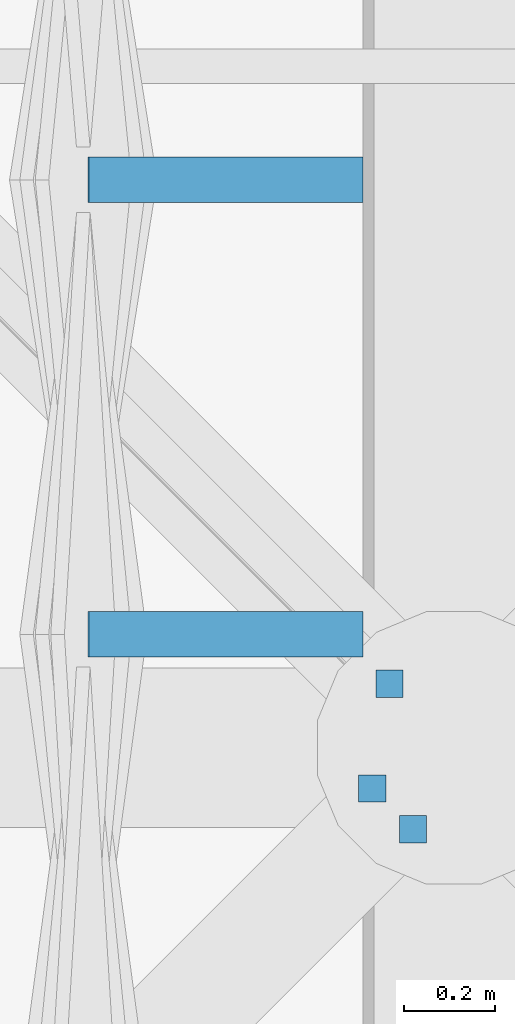
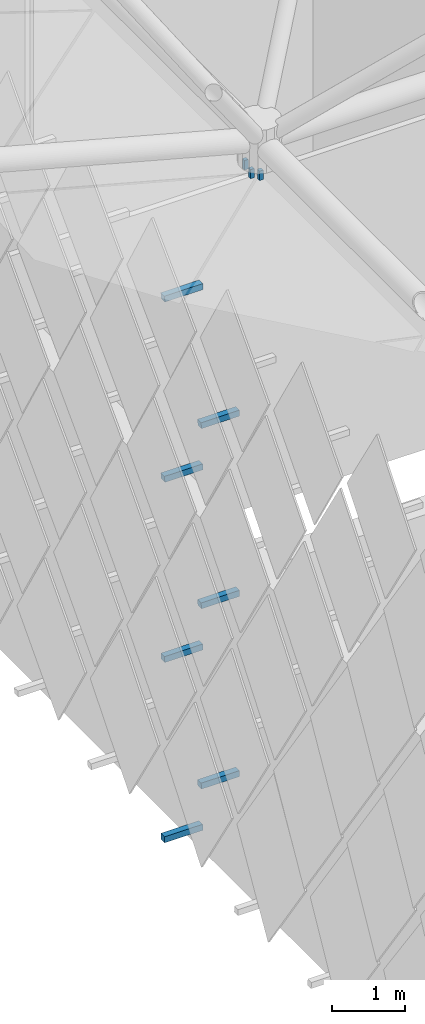
# One storey, part 363 of 437: 10 discrete accessories.
"""IFC4 building model written with IfcOpenShell, lengths in metres."""

from ifc_helpers import new_model, si_unit, direction, frame, origin, place, context, subcontext, project, spatial, polyline, outline, extrude, material, type_object, element, save


model = new_model("IFC4")

# Units and contexts
model_context = context("Model", 3, precision=1e-05, world=origin(), true_north=direction((0.0, 1.0)))
body_context = subcontext(model_context, "Body", "Model", "MODEL_VIEW")
ifc_project = project(units=[si_unit("LENGTHUNIT", "METRE"), si_unit("AREAUNIT", "SQUARE_METRE"), si_unit("VOLUMEUNIT", "CUBIC_METRE"), si_unit("PLANEANGLEUNIT", "RADIAN"), si_unit("MASSUNIT", "GRAM", prefix="KILO")], contexts=[model_context])

# Site, building, storey
site_placement = place(None, origin())
site = spatial("IfcSite", under=ifc_project, at=site_placement, CompositionType="ELEMENT")
building_placement = place(site_placement, origin())
building = spatial("IfcBuilding", under=site, at=building_placement, Name="Opaline Strait Convention Centre", CompositionType="ELEMENT")
storey_placement = place(building_placement, frame((0.0, 0.0, 11.5)))
storey = spatial("IfcBuildingStorey", under=building, at=storey_placement, Name="L02", CompositionType="ELEMENT", Elevation=11.5)

# Discrete accessories
ifc_material = material(Name="Steel Q355B", Category="steel")
discrete_accessory_type_1 = type_object("IfcDiscreteAccessoryType", Name="Soffit hanger 60x60 steel", PredefinedType="BRACKET", material=ifc_material)
discrete_accessory_1_placement = place(storey_placement, frame((0.0, 0.0, 11.97998046875)))
element("IfcDiscreteAccessory", 1, at=discrete_accessory_1_placement, inside=storey, type_object=discrete_accessory_type_1, Name="Soffit hanger", PredefinedType="BRACKET", context=body_context, shape_type="SweptSolid", body=[
    extrude(outline(polyline([(98.880859375, 134.791015625), (98.940673828125, 134.791015625), (98.940673828125, 134.85107421875), (98.880859375, 134.85107421875), (98.880859375, 134.791015625)])), origin(), (0.0, 0.0, 1.0), 0.159912109375),
])
discrete_accessory_2_placement = place(storey_placement, frame((0.0, 0.0, 11.987548828125)))
element("IfcDiscreteAccessory", 2, at=discrete_accessory_2_placement, inside=storey, type_object=discrete_accessory_type_1, Name="Soffit hanger", PredefinedType="BRACKET", context=body_context, shape_type="SweptSolid", body=[
    extrude(outline(polyline([(98.791015625, 134.880859375), (98.85107421875, 134.880859375), (98.85107421875, 134.940673828125), (98.791015625, 134.940673828125), (98.791015625, 134.880859375)])), origin(), (0.0, 0.0, 1.0), 0.15234375),
])
discrete_accessory_3_placement = place(storey_placement, frame((0.0, 0.0, 11.98291015625)))
element("IfcDiscreteAccessory", 3, at=discrete_accessory_3_placement, inside=storey, type_object=discrete_accessory_type_1, Name="Soffit hanger", PredefinedType="BRACKET", context=body_context, shape_type="SweptSolid", body=[
    extrude(outline(polyline([(98.82861328125, 135.111328125), (98.888671875, 135.111328125), (98.888671875, 135.17138671875), (98.82861328125, 135.17138671875), (98.82861328125, 135.111328125)])), origin(), (0.0, 0.0, 1.0), 0.156982421875),
])
discrete_accessory_type_2 = type_object("IfcDiscreteAccessoryType", Name="Tile bracket 100x100 steel", PredefinedType="BRACKET", material=ifc_material)
for number, where, z_axis, x_axis, name in (
    (4, (98.800048828125, 136.300048828125, 0.39208984375), (0.0, -1.0, 0.0), (1.0, 0.0, 0.0), "Tile bracket XT04 W"),
    (5, (98.800048828125, 135.300048828125, 1.89208984375), (0.0, -1.0, 0.0), (1.0, 0.0, 0.0), "Tile bracket XT04 W"),
):
    element("IfcDiscreteAccessory", number, at=place(storey_placement, frame(where, z_axis=z_axis, x_axis=x_axis)), inside=storey, type_object=discrete_accessory_type_2, Name=name, PredefinedType="BRACKET", context=body_context, shape_type="SweptSolid", body=[
        extrude(outline(polyline([(0.0, -0.050048828125), (0.0, 0.050048828125), (-0.601806640625, 0.050048828125), (-0.59814453125, -0.050048828125), (0.0, -0.050048828125)])), origin(), (0.0, 0.0, 1.0), 0.10009765625),
    ])
for number, where, z_axis, x_axis, name in (
    (6, (98.800048828125, 136.300048828125, 3.39208984375), (0.0, -1.0, 0.0), (1.0, 0.0, 0.0), "Tile bracket XT07 W"),
    (7, (98.800048828125, 135.300048828125, 4.89208984375), (0.0, -1.0, 0.0), (1.0, 0.0, 0.0), "Tile bracket XT07 W"),
):
    element("IfcDiscreteAccessory", number, at=place(storey_placement, frame(where, z_axis=z_axis, x_axis=x_axis)), inside=storey, type_object=discrete_accessory_type_2, Name=name, PredefinedType="BRACKET", context=body_context, shape_type="SweptSolid", body=[
        extrude(outline(polyline([(0.0, -0.050048828125), (0.0, 0.050048828125), (-0.60302734375, 0.050048828125), (-0.596923828125, -0.050048828125), (0.0, -0.050048828125)])), origin(), (0.0, 0.0, 1.0), 0.10009765625),
    ])
for number, where, z_axis, x_axis, name in (
    (8, (98.800048828125, 136.300048828125, 6.39208984375), (0.0, -1.0, 0.0), (1.0, 0.0, 0.0), "Tile bracket XT10 W"),
    (9, (98.800048828125, 135.300048828125, 7.89208984375), (0.0, -1.0, 0.0), (1.0, 0.0, 0.0), "Tile bracket XT10 W"),
):
    element("IfcDiscreteAccessory", number, at=place(storey_placement, frame(where, z_axis=z_axis, x_axis=x_axis)), inside=storey, type_object=discrete_accessory_type_2, Name=name, PredefinedType="BRACKET", context=body_context, shape_type="SweptSolid", body=[
        extrude(outline(polyline([(0.0, -0.050048828125), (0.0, 0.050048828125), (-0.604248046875, 0.050048828125), (-0.595703125, -0.050048828125), (0.0, -0.050048828125)])), origin(), (0.0, 0.0, 1.0), 0.10009765625),
    ])
discrete_accessory_4_placement = place(storey_placement, frame((98.800048828125, 136.300048828125, 9.39208984375), z_axis=(0.0, -1.0, 0.0), x_axis=(1.0, 0.0, 0.0)))
element("IfcDiscreteAccessory", 10, at=discrete_accessory_4_placement, inside=storey, type_object=discrete_accessory_type_2, Name="Tile bracket XT12 W", PredefinedType="BRACKET", context=body_context, shape_type="SweptSolid", body=[
    extrude(outline(polyline([(0.0, -0.050048828125), (0.0, 0.050048828125), (-0.605224609375, 0.050048828125), (-0.5947265625, -0.050048828125), (0.0, -0.050048828125)])), origin(), (0.0, 0.0, 1.0), 0.10009765625),
])

save(model, "model.ifc")
